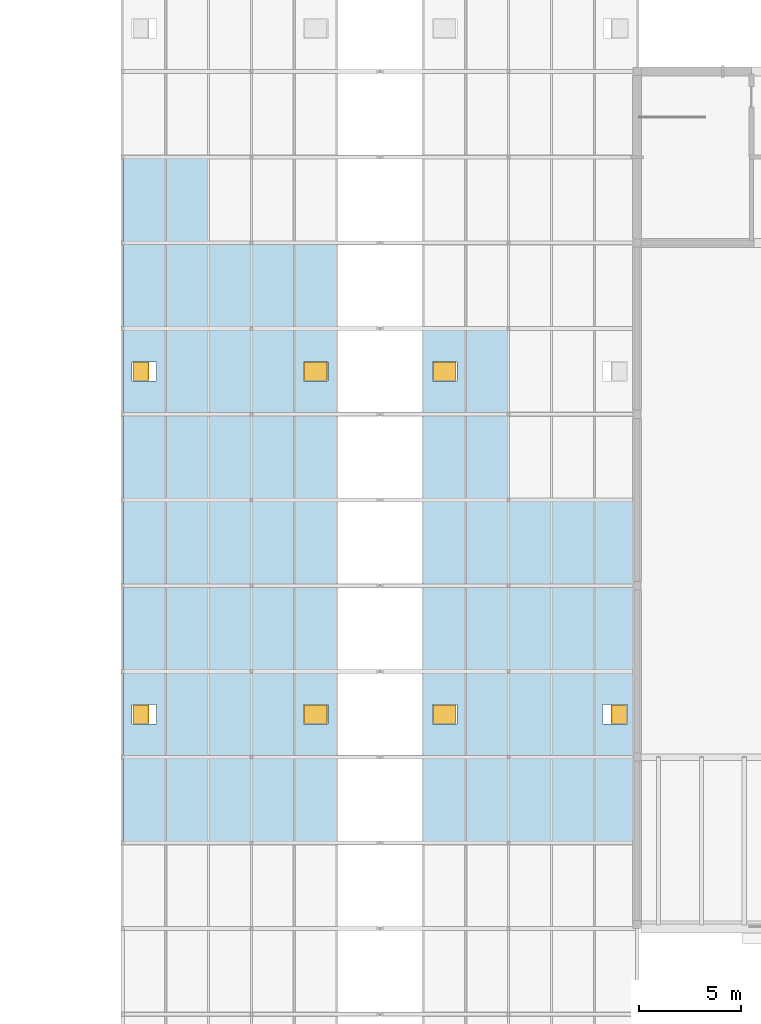
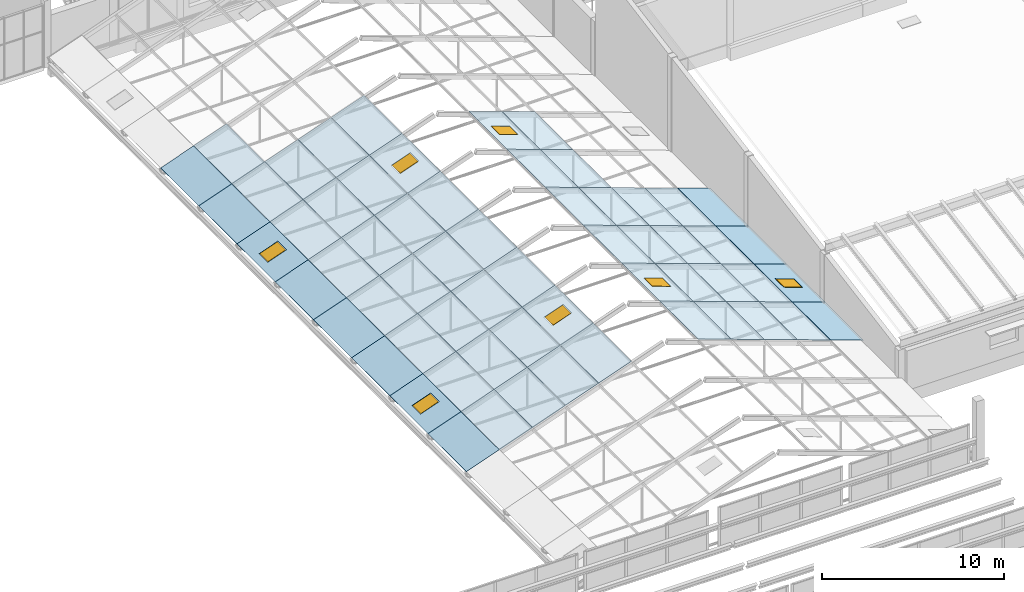
# One storey, part 87 of 116: 61 slabs, 7 windows, 7 openings.
"""IFC4 building model written with IfcOpenShell, lengths in metres."""

import ifcopenshell
import ifcopenshell.guid

model = None  # the IFC model being written
_history = None  # IfcOwnerHistory: only IFC2X3 demands one
_inside = {}  # id of a spatial element -> (the spatial element, [elements in it])
_under = {}  # id of a project, library or spatial element -> (it, [spatial elements below it])
_declared = {}  # id of a project -> (the project, [libraries it declares])
_typed = {}  # id of a type object -> (the type object, [elements of that type])
_made_of = {}  # id of a material, layer set ... -> (it, [elements and type objects made of it])


def new_model(schema):
    """Start an empty IFC model of exactly this schema.

    Asked for "IFC4X3", IfcOpenShell would pick the latest addendum, in which some entities
    have other attributes; the version numbers below select the first issue.
    IFC2X3 requires an IfcOwnerHistory on every rooted entity: one is made here for all.
    """
    global model, _history
    if schema == "IFC4X3":
        model = ifcopenshell.file(schema_version=(4, 3, 0, 0))
    else:
        model = ifcopenshell.file(schema=schema)
    _inside.clear()
    _under.clear()
    _declared.clear()
    _typed.clear()
    _made_of.clear()
    _history = None
    if model.schema == "IFC2X3":
        org = make("IfcOrganization", Name="unknown")
        user = make(
            "IfcPersonAndOrganization",
            ThePerson=make("IfcPerson", FamilyName="unknown"),
            TheOrganization=org,
        )
        app = make(
            "IfcApplication",
            ApplicationDeveloper=org,
            Version="unknown",
            ApplicationFullName="unknown",
            ApplicationIdentifier="unknown",
        )
        _history = make(
            "IfcOwnerHistory",
            OwningUser=user,
            OwningApplication=app,
            ChangeAction="ADDED",
            CreationDate=0,
        )
    return model


def make(cls, **values):
    """One entity of the class cls with the attributes given. An attribute that is None is left unset."""
    return model.create_entity(
        cls, **{name: value for name, value in values.items() if value is not None}
    )


def rooted(cls, **values):
    """An entity with a GlobalId (a new one), such as an element, a storey or a relation."""
    return make(cls, GlobalId=ifcopenshell.guid.new(), OwnerHistory=_history, **values)


def si_unit(unit_type, name, prefix=None):
    """IfcSIUnit, for example si_unit("LENGTHUNIT", "METRE", prefix="MILLI")."""
    return make("IfcSIUnit", UnitType=unit_type, Prefix=prefix, Name=name)


def assignment(units):
    """IfcUnitAssignment: the units of a project."""
    return None if units is None else make("IfcUnitAssignment", Units=units)


def point(xyz):
    """IfcCartesianPoint."""
    return None if xyz is None else make("IfcCartesianPoint", Coordinates=xyz)


def direction(xyz):
    """IfcDirection."""
    return None if xyz is None else make("IfcDirection", DirectionRatios=xyz)


def frame(location, z_axis=None, x_axis=None):
    """IfcAxis2Placement3D, a coordinate frame: its origin and axes. An axis left out is left unset."""
    return make(
        "IfcAxis2Placement3D",
        Location=point(location),
        Axis=direction(z_axis),
        RefDirection=direction(x_axis),
    )


def frame_2d(location, x_axis=None):
    """IfcAxis2Placement2D, a coordinate frame in the plane: its origin and x axis."""
    return make(
        "IfcAxis2Placement2D", Location=point(location), RefDirection=direction(x_axis)
    )


def origin():
    """The frame at (0, 0, 0) with its axes left unset."""
    return frame((0.0, 0.0, 0.0))


def origin_2d():
    """The frame at (0, 0) in the plane with its x axis left unset."""
    return frame_2d((0.0, 0.0))


def place(relative_to, where):
    """IfcLocalPlacement: puts the frame where relative to a parent placement (None: the world)."""
    return make(
        "IfcLocalPlacement", PlacementRelTo=relative_to, RelativePlacement=where
    )


def context(
    kind, dimensions, precision=None, world=None, true_north=None, identifier=None
):
    """IfcGeometricRepresentationContext, for example the 3D "Model" context."""
    return make(
        "IfcGeometricRepresentationContext",
        ContextIdentifier=identifier,
        ContextType=kind,
        CoordinateSpaceDimension=dimensions,
        Precision=precision,
        WorldCoordinateSystem=world,
        TrueNorth=true_north,
    )


def subcontext(parent, identifier, kind, view, scale=None):
    """IfcGeometricRepresentationSubContext, for example "Body" below "Model"."""
    return make(
        "IfcGeometricRepresentationSubContext",
        ContextIdentifier=identifier,
        ContextType=kind,
        ParentContext=parent,
        TargetScale=scale,
        TargetView=view,
    )


def project(units=None, contexts=None):
    """IfcProject with its units and contexts."""
    return rooted(
        "IfcProject",
        Name="project",
        RepresentationContexts=contexts,
        UnitsInContext=assignment(units),
    )


def spatial(cls, under=None, at=None, **own):
    """A site, building, storey or space (cls), placed at a placement, below another one or the project."""
    s = rooted(cls, ObjectPlacement=at, **own)
    if under is not None:
        _under.setdefault(under.id(), (under, []))[1].append(s)
    return s


def polyline(points):
    """IfcPolyline through the points."""
    return make("IfcPolyline", Points=[point(p) for p in points])


def profile(cls, at=None, kind="AREA", **sizes):
    """A parametric profile (cls). Its sizes go by their IFC names, for example OverallWidth=200.0."""
    return make(cls, ProfileType=kind, Position=at, **sizes)


def rectangle(**sizes):
    """IfcRectangleProfileDef."""
    return profile("IfcRectangleProfileDef", **sizes)


def outline(outer, holes=None, kind="AREA"):
    """IfcArbitraryClosedProfileDef: a profile drawn as a closed curve; with holes, ...WithVoids."""
    if holes is None:
        return make("IfcArbitraryClosedProfileDef", ProfileType=kind, OuterCurve=outer)
    return make(
        "IfcArbitraryProfileDefWithVoids",
        ProfileType=kind,
        OuterCurve=outer,
        InnerCurves=holes,
    )


def extrude(swept, where, along, depth):
    """IfcExtrudedAreaSolid: the profile swept, set in the frame where, extruded along a direction by depth."""
    return make(
        "IfcExtrudedAreaSolid",
        SweptArea=swept,
        Position=where,
        ExtrudedDirection=direction(along),
        Depth=depth,
    )


def shape(context_of_items, identifier, shape_type, items):
    """IfcShapeRepresentation: the items that make up one representation, for example the "Body"."""
    return make(
        "IfcShapeRepresentation",
        ContextOfItems=context_of_items,
        RepresentationIdentifier=identifier,
        RepresentationType=shape_type,
        Items=items,
    )


def material(Name=None, Category=None):
    """IfcMaterial."""
    return make("IfcMaterial", Name=Name, Category=Category)


def layer(
    of_material, thickness, ventilated=None, Name=None, Category=None, Priority=None
):
    """IfcMaterialLayer: one layer of a wall or slab, of a material (None: an air gap)."""
    return make(
        "IfcMaterialLayer",
        Material=of_material,
        LayerThickness=thickness,
        IsVentilated=ventilated,
        Name=Name,
        Category=Category,
        Priority=Priority,
    )


def layer_set(layers, Name=None):
    """IfcMaterialLayerSet."""
    return make("IfcMaterialLayerSet", MaterialLayers=layers, LayerSetName=Name)


def made_of(thing, what):
    """Note that an element or type object is made of a material, layer set ...; save() writes the relation."""
    if what is not None:
        _made_of.setdefault(what.id(), (what, []))[1].append(thing)
    return thing


def type_object(cls, material=None, **own):
    """A type object (cls), such as IfcWallType, which elements share."""
    return made_of(rooted(cls, **own), material)


def element(
    cls,
    number,
    at=None,
    inside=None,
    cuts=None,
    type_object=None,
    material=None,
    context=None,
    identifier="Body",
    shape_type=None,
    held_by="IfcProductDefinitionShape",
    body=None,
    shapes=None,
    **own,
):
    """One element of the class cls, such as IfcWall. Its Tag is "e" and its number.

    at: its placement. inside: the storey or other place that contains it. cuts: it is an
    opening in that element (IfcRelVoidsElement). A single representation is given by context,
    identifier, shape_type and body (its items); several are given by shapes. held_by: the class
    of the entity that holds the representations. save() writes the other relations.
    """
    e = rooted(cls, Tag="e%d" % number, ObjectPlacement=at, **own)
    if body is not None:
        shapes = [shape(context, identifier, shape_type, body)]
    if shapes is not None:
        e.Representation = make(held_by, Representations=shapes)
    if inside is not None:
        _inside.setdefault(inside.id(), (inside, []))[1].append(e)
    if cuts is not None:
        rooted(
            "IfcRelVoidsElement", RelatingBuildingElement=cuts, RelatedOpeningElement=e
        )
    if type_object is not None:
        _typed.setdefault(type_object.id(), (type_object, []))[1].append(e)
    return made_of(e, material)


def fill(opening, filler):
    """IfcRelFillsElement: the door or window that sits in an opening."""
    return rooted(
        "IfcRelFillsElement",
        RelatingOpeningElement=opening,
        RelatedBuildingElement=filler,
    )


def aggregate(whole, parts):
    """IfcRelAggregates: a whole, such as a stair, and the parts it consists of."""
    return rooted("IfcRelAggregates", RelatingObject=whole, RelatedObjects=parts)


def save(model, path):
    """Write the relations noted so far, then the file.

    IfcRelAggregates (storeys below a building ...), IfcRelContainedInSpatialStructure (elements
    in a storey), IfcRelDefinesByType, IfcRelAssociatesMaterial and IfcRelDeclares: one each for
    every whole, place, type object, material and project.
    """
    for whole, parts in _under.values():
        aggregate(whole, parts)
    for where, things in _inside.values():
        rooted(
            "IfcRelContainedInSpatialStructure",
            RelatedElements=things,
            RelatingStructure=where,
        )
    for kind, things in _typed.values():
        rooted("IfcRelDefinesByType", RelatedObjects=things, RelatingType=kind)
    for what, things in _made_of.values():
        rooted("IfcRelAssociatesMaterial", RelatedObjects=things, RelatingMaterial=what)
    for by, libraries in _declared.values():
        rooted("IfcRelDeclares", RelatingContext=by, RelatedDefinitions=libraries)
    model.write(path)


model = new_model("IFC4")

# Units and contexts
model_context = context("Model", 3, precision=1e-05, world=origin(), true_north=direction((0.0, 1.0)))
body_context = subcontext(model_context, "Body", "Model", "MODEL_VIEW")
ifc_project = project(units=[si_unit("LENGTHUNIT", "METRE"), si_unit("AREAUNIT", "SQUARE_METRE"), si_unit("VOLUMEUNIT", "CUBIC_METRE"), si_unit("PLANEANGLEUNIT", "RADIAN"), si_unit("MASSUNIT", "GRAM", prefix="KILO")], contexts=[model_context])

# Site, building, storey
site_placement = place(None, origin())
site = spatial("IfcSite", under=ifc_project, at=site_placement, CompositionType="ELEMENT")
building_placement = place(site_placement, origin())
building = spatial("IfcBuilding", under=site, at=building_placement, Name="Fescue Hill Polytechnic", CompositionType="ELEMENT")
storey_placement = place(building_placement, frame((0.0, 0.0, 13.5)))
storey = spatial("IfcBuildingStorey", under=building, at=storey_placement, Name="L03", CompositionType="ELEMENT", Elevation=13.5)

# Slabs
ifc_material_1 = material(Name="Glass", Category="glass")
ifc_layer = layer(ifc_material_1, 0.030029296875)
ifc_layer_set = layer_set([ifc_layer], Name="Glass")
slab_type = type_object("IfcSlabType", Name="Winter garden roof glazing 30", PredefinedType="ROOF", material=ifc_layer_set)
slab_1_placement = place(storey_placement, frame((92.39990234375, 63.0, 0.7724609375), z_axis=(-0.336294501436, 0.0, 0.941756873245), x_axis=(0.0, 1.0, 0.0)))
element("IfcSlab", 1, at=slab_1_placement, inside=storey, type_object=slab_type, Name="Winter garden roof glazing", PredefinedType="ROOF", context=body_context, shape_type="SweptSolid", body=[
    extrude(outline(polyline([(0.0, 0.0), (4.199951171875, 0.0), (4.199951171875, -2.214942687716117), (0.0, -2.214942687716117), (0.0, 0.0)])), origin(), (0.0, 0.0, -1.0), 0.030029296875),
])
for number, where, z_axis, x_axis, name in (
    (2, (94.5, 63.0, 1.5224609375), (-0.336329413726, 0.0, 0.941744405591), (0.0, 1.0, 0.0), "Winter garden roof glazing"),
    (3, (96.599853515625, 63.0, 2.2724609375), (-0.336329413726, 0.0, 0.941744405591), (0.0, 1.0, 0.0), "Winter garden roof glazing"),
):
    element("IfcSlab", number, at=place(storey_placement, frame(where, z_axis=z_axis, x_axis=x_axis)), inside=storey, type_object=slab_type, Name=name, PredefinedType="ROOF", context=body_context, shape_type="SweptSolid", body=[
        extrude(outline(polyline([(0.0, 0.0), (4.199951171875, 0.0), (4.199951171875, -2.2147127681263368), (0.0, -2.2147127681263368), (0.0, 0.0)])), origin(), (0.0, 0.0, -1.0), 0.030029296875),
    ])
for number, where, z_axis, x_axis, name in (
    (4, (98.69970703125, 63.0, 3.0224609375), (-0.336294501436, 0.0, 0.941756873245), (0.0, 1.0, 0.0), "Winter garden roof glazing"),
    (5, (100.799560546875, 63.0, 3.7724609375), (-0.336294501436, 0.0, 0.941756873245), (0.0, 1.0, 0.0), "Winter garden roof glazing"),
):
    element("IfcSlab", number, at=place(storey_placement, frame(where, z_axis=z_axis, x_axis=x_axis)), inside=storey, type_object=slab_type, Name=name, PredefinedType="ROOF", context=body_context, shape_type="SweptSolid", body=[
        extrude(outline(polyline([(0.0, 0.0), (4.199951171875, 0.0), (4.199951171875, -2.214942687716117), (0.0, -2.214942687716117), (0.0, 0.0)])), origin(), (0.0, 0.0, -1.0), 0.030029296875),
    ])

# Slab, opening, window
slab_2_placement = place(storey_placement, frame((92.39990234375, 67.199951171875, 0.7724609375), z_axis=(-0.336294501436, 0.0, 0.941756873245), x_axis=(0.0, 1.0, 0.0)))
slab_2 = element("IfcSlab", 6, at=slab_2_placement, inside=storey, type_object=slab_type, Name="Winter garden roof glazing", PredefinedType="ROOF", context=body_context, shape_type="SweptSolid", body=[
    extrude(outline(polyline([(0.0, 0.0), (4.199951171875, 0.0), (4.199951171875, -2.214942687716117), (0.0, -2.214942687716117), (0.0, 0.0)])), origin(), (0.0, 0.0, -1.0), 0.030029296875),
])
opening_1_placement = place(storey_placement, frame((93.449951171875, 69.300048828125, 0.80126953125)))
opening_1 = element("IfcOpeningElement", 7, at=opening_1_placement, cuts=slab_2, Name="Opening WH5", PredefinedType="OPENING", context=body_context, shape_type="SweptSolid", body=[
    extrude(rectangle(XDim=1.206787109375, YDim=0.93994140625, at=origin_2d()), origin(), (0.0, 0.0, 1.0), 0.660400390625),
])
ifc_material_2 = material(Name="Powder-coated aluminium and glass", Category="aluminium")
window_type = type_object("IfcWindowType", Name="Opening vent 900x1200", PartitioningType="SINGLE_PANEL", PredefinedType="SKYLIGHT", material=ifc_material_2)
window_1_placement = place(storey_placement, frame((93.449951171875, 69.300048828125, 1.1474609375), z_axis=(-0.336294501436, 0.0, 0.941756873245), x_axis=(0.0, 1.0, 0.0)))
window_1 = element("IfcWindow", 8, at=window_1_placement, inside=storey, type_object=window_type, Name="RLT-L03-WG-GLW-05-1", OverallHeight=1.199951171875, OverallWidth=0.89990234375, PartitioningType="SINGLE_PANEL", PredefinedType="SKYLIGHT", context=body_context, shape_type="SweptSolid", body=[
    extrude(rectangle(XDim=0.89990234375, YDim=1.199951171875, at=origin_2d()), origin(), (0.0, 0.0, -1.0), 0.030029296875),
])
fill(opening_1, window_1)

# Slabs
for number, where, z_axis, x_axis, name in (
    (9, (94.5, 67.199951171875, 1.5224609375), (-0.336329413726, 0.0, 0.941744405591), (0.0, 1.0, 0.0), "Winter garden roof glazing"),
    (10, (96.599853515625, 67.199951171875, 2.2724609375), (-0.336329413726, 0.0, 0.941744405591), (0.0, 1.0, 0.0), "Winter garden roof glazing"),
):
    element("IfcSlab", number, at=place(storey_placement, frame(where, z_axis=z_axis, x_axis=x_axis)), inside=storey, type_object=slab_type, Name=name, PredefinedType="ROOF", context=body_context, shape_type="SweptSolid", body=[
        extrude(outline(polyline([(0.0, 0.0), (4.199951171875, 0.0), (4.199951171875, -2.2147127681263368), (0.0, -2.2147127681263368), (0.0, 0.0)])), origin(), (0.0, 0.0, -1.0), 0.030029296875),
    ])
slab_3_placement = place(storey_placement, frame((98.69970703125, 67.199951171875, 3.0224609375), z_axis=(-0.336294501436, 0.0, 0.941756873245), x_axis=(0.0, 1.0, 0.0)))
element("IfcSlab", 11, at=slab_3_placement, inside=storey, type_object=slab_type, Name="Winter garden roof glazing", PredefinedType="ROOF", context=body_context, shape_type="SweptSolid", body=[
    extrude(outline(polyline([(0.0, 0.0), (4.199951171875, 0.0), (4.199951171875, -2.214942687716117), (0.0, -2.214942687716117), (0.0, 0.0)])), origin(), (0.0, 0.0, -1.0), 0.030029296875),
])

# Slab, opening, window
slab_4_placement = place(storey_placement, frame((100.799560546875, 67.199951171875, 3.7724609375), z_axis=(-0.336294501436, 0.0, 0.941756873245), x_axis=(0.0, 1.0, 0.0)))
slab_4 = element("IfcSlab", 12, at=slab_4_placement, inside=storey, type_object=slab_type, Name="Winter garden roof glazing", PredefinedType="ROOF", context=body_context, shape_type="SweptSolid", body=[
    extrude(outline(polyline([(0.0, 0.0), (4.199951171875, 0.0), (4.199951171875, -2.214942687716117), (0.0, -2.214942687716117), (0.0, 0.0)])), origin(), (0.0, 0.0, -1.0), 0.030029296875),
])
opening_2_placement = place(storey_placement, frame((101.85009765625, 69.300048828125, 3.801513671875)))
opening_2 = element("IfcOpeningElement", 13, at=opening_2_placement, cuts=slab_4, Name="Opening WH5", PredefinedType="OPENING", context=body_context, shape_type="SweptSolid", body=[
    extrude(rectangle(XDim=1.206787109375, YDim=0.93994140625, at=origin_2d()), origin(), (0.0, 0.0, 1.0), 0.660400390625),
])
window_2_placement = place(storey_placement, frame((101.85009765625, 69.300048828125, 4.147705078125), z_axis=(-0.336294501436, 0.0, 0.941756873245), x_axis=(0.0, 1.0, 0.0)))
window_2 = element("IfcWindow", 14, at=window_2_placement, inside=storey, type_object=window_type, Name="RLT-L03-WG-GLW-05-5", OverallHeight=1.199951171875, OverallWidth=0.89990234375, PartitioningType="SINGLE_PANEL", PredefinedType="SKYLIGHT", context=body_context, shape_type="SweptSolid", body=[
    extrude(rectangle(XDim=0.89990234375, YDim=1.199951171875, at=origin_2d()), origin(), (0.0, 0.0, -1.0), 0.030029296875),
])
fill(opening_2, window_2)

# Slabs
slab_5_placement = place(storey_placement, frame((92.39990234375, 71.39990234375, 0.7724609375), z_axis=(-0.336294501436, 0.0, 0.941756873245), x_axis=(0.0, 1.0, 0.0)))
element("IfcSlab", 15, at=slab_5_placement, inside=storey, type_object=slab_type, Name="Winter garden roof glazing", PredefinedType="ROOF", context=body_context, shape_type="SweptSolid", body=[
    extrude(outline(polyline([(0.0, 0.0), (4.2001953125, 0.0), (4.2001953125, -2.214942687716117), (0.0, -2.214942687716117), (0.0, 0.0)])), origin(), (0.0, 0.0, -1.0), 0.030029296875),
])
for number, where, z_axis, x_axis, name in (
    (16, (94.5, 71.39990234375, 1.5224609375), (-0.336329413726, 0.0, 0.941744405591), (0.0, 1.0, 0.0), "Winter garden roof glazing"),
    (17, (96.599853515625, 71.39990234375, 2.2724609375), (-0.336329413726, 0.0, 0.941744405591), (0.0, 1.0, 0.0), "Winter garden roof glazing"),
):
    element("IfcSlab", number, at=place(storey_placement, frame(where, z_axis=z_axis, x_axis=x_axis)), inside=storey, type_object=slab_type, Name=name, PredefinedType="ROOF", context=body_context, shape_type="SweptSolid", body=[
        extrude(outline(polyline([(0.0, 0.0), (4.2001953125, 0.0), (4.2001953125, -2.2147127681263363), (0.0, -2.2147127681263363), (0.0, 0.0)])), origin(), (0.0, 0.0, -1.0), 0.030029296875),
    ])
for number, where, z_axis, x_axis, name in (
    (18, (98.69970703125, 71.39990234375, 3.0224609375), (-0.336294501436, 0.0, 0.941756873245), (0.0, 1.0, 0.0), "Winter garden roof glazing"),
    (19, (100.799560546875, 71.39990234375, 3.7724609375), (-0.336294501436, 0.0, 0.941756873245), (0.0, 1.0, 0.0), "Winter garden roof glazing"),
):
    element("IfcSlab", number, at=place(storey_placement, frame(where, z_axis=z_axis, x_axis=x_axis)), inside=storey, type_object=slab_type, Name=name, PredefinedType="ROOF", context=body_context, shape_type="SweptSolid", body=[
        extrude(outline(polyline([(0.0, 0.0), (4.2001953125, 0.0), (4.2001953125, -2.214942687716117), (0.0, -2.214942687716117), (0.0, 0.0)])), origin(), (0.0, 0.0, -1.0), 0.030029296875),
    ])
slab_6_placement = place(storey_placement, frame((92.39990234375, 75.60009765625, 0.7724609375), z_axis=(-0.336294501436, 0.0, 0.941756873245), x_axis=(0.0, 1.0, 0.0)))
element("IfcSlab", 20, at=slab_6_placement, inside=storey, type_object=slab_type, Name="Winter garden roof glazing", PredefinedType="ROOF", context=body_context, shape_type="SweptSolid", body=[
    extrude(outline(polyline([(0.0, 0.0), (4.199951171875, 0.0), (4.199951171875, -2.214942687716117), (0.0, -2.214942687716117), (0.0, 0.0)])), origin(), (0.0, 0.0, -1.0), 0.030029296875),
])
for number, where, z_axis, x_axis, name in (
    (21, (94.5, 75.60009765625, 1.5224609375), (-0.336329413726, 0.0, 0.941744405591), (0.0, 1.0, 0.0), "Winter garden roof glazing"),
    (22, (96.599853515625, 75.60009765625, 2.2724609375), (-0.336329413726, 0.0, 0.941744405591), (0.0, 1.0, 0.0), "Winter garden roof glazing"),
):
    element("IfcSlab", number, at=place(storey_placement, frame(where, z_axis=z_axis, x_axis=x_axis)), inside=storey, type_object=slab_type, Name=name, PredefinedType="ROOF", context=body_context, shape_type="SweptSolid", body=[
        extrude(outline(polyline([(0.0, 0.0), (4.199951171875, 0.0), (4.199951171875, -2.2147127681263368), (0.0, -2.2147127681263368), (0.0, 0.0)])), origin(), (0.0, 0.0, -1.0), 0.030029296875),
    ])
for number, where, z_axis, x_axis, name in (
    (23, (98.69970703125, 75.60009765625, 3.0224609375), (-0.336294501436, 0.0, 0.941756873245), (0.0, 1.0, 0.0), "Winter garden roof glazing"),
    (24, (100.799560546875, 75.60009765625, 3.7724609375), (-0.336294501436, 0.0, 0.941756873245), (0.0, 1.0, 0.0), "Winter garden roof glazing"),
    (25, (92.39990234375, 79.800048828125, 0.7724609375), (-0.336294501436, 0.0, 0.941756873245), (0.0, 1.0, 0.0), "Winter garden roof glazing"),
):
    element("IfcSlab", number, at=place(storey_placement, frame(where, z_axis=z_axis, x_axis=x_axis)), inside=storey, type_object=slab_type, Name=name, PredefinedType="ROOF", context=body_context, shape_type="SweptSolid", body=[
        extrude(outline(polyline([(0.0, 0.0), (4.199951171875, 0.0), (4.199951171875, -2.214942687716117), (0.0, -2.214942687716117), (0.0, 0.0)])), origin(), (0.0, 0.0, -1.0), 0.030029296875),
    ])
for number, where, z_axis, x_axis, name in (
    (26, (94.5, 79.800048828125, 1.5224609375), (-0.336329413726, 0.0, 0.941744405591), (0.0, 1.0, 0.0), "Winter garden roof glazing"),
    (27, (96.599853515625, 79.800048828125, 2.2724609375), (-0.336329413726, 0.0, 0.941744405591), (0.0, 1.0, 0.0), "Winter garden roof glazing"),
):
    element("IfcSlab", number, at=place(storey_placement, frame(where, z_axis=z_axis, x_axis=x_axis)), inside=storey, type_object=slab_type, Name=name, PredefinedType="ROOF", context=body_context, shape_type="SweptSolid", body=[
        extrude(outline(polyline([(0.0, 0.0), (4.199951171875, 0.0), (4.199951171875, -2.2147127681263368), (0.0, -2.2147127681263368), (0.0, 0.0)])), origin(), (0.0, 0.0, -1.0), 0.030029296875),
    ])
for number, where, z_axis, x_axis, name in (
    (28, (98.69970703125, 79.800048828125, 3.0224609375), (-0.336294501436, 0.0, 0.941756873245), (0.0, 1.0, 0.0), "Winter garden roof glazing"),
    (29, (100.799560546875, 79.800048828125, 3.7724609375), (-0.336294501436, 0.0, 0.941756873245), (0.0, 1.0, 0.0), "Winter garden roof glazing"),
):
    element("IfcSlab", number, at=place(storey_placement, frame(where, z_axis=z_axis, x_axis=x_axis)), inside=storey, type_object=slab_type, Name=name, PredefinedType="ROOF", context=body_context, shape_type="SweptSolid", body=[
        extrude(outline(polyline([(0.0, 0.0), (4.199951171875, 0.0), (4.199951171875, -2.214942687716117), (0.0, -2.214942687716117), (0.0, 0.0)])), origin(), (0.0, 0.0, -1.0), 0.030029296875),
    ])

# Slab, opening, window
slab_7_placement = place(storey_placement, frame((92.39990234375, 84.0, 0.7724609375), z_axis=(-0.336294501436, 0.0, 0.941756873245), x_axis=(0.0, 1.0, 0.0)))
slab_7 = element("IfcSlab", 30, at=slab_7_placement, inside=storey, type_object=slab_type, Name="Winter garden roof glazing", PredefinedType="ROOF", context=body_context, shape_type="SweptSolid", body=[
    extrude(outline(polyline([(0.0, 0.0), (4.199951171875, 0.0), (4.199951171875, -2.214942687716117), (0.0, -2.214942687716117), (0.0, 0.0)])), origin(), (0.0, 0.0, -1.0), 0.030029296875),
])
opening_3_placement = place(storey_placement, frame((93.449951171875, 86.10009765625, 0.80126953125)))
opening_3 = element("IfcOpeningElement", 31, at=opening_3_placement, cuts=slab_7, Name="Opening WH5", PredefinedType="OPENING", context=body_context, shape_type="SweptSolid", body=[
    extrude(rectangle(XDim=1.206787109375, YDim=0.93994140625, at=origin_2d()), origin(), (0.0, 0.0, 1.0), 0.660400390625),
])
window_3_placement = place(storey_placement, frame((93.449951171875, 86.10009765625, 1.1474609375), z_axis=(-0.336294501436, 0.0, 0.941756873245), x_axis=(0.0, 1.0, 0.0)))
window_3 = element("IfcWindow", 32, at=window_3_placement, inside=storey, type_object=window_type, Name="RLT-L03-WG-GLW-09-1", OverallHeight=1.199951171875, OverallWidth=0.89990234375, PartitioningType="SINGLE_PANEL", PredefinedType="SKYLIGHT", context=body_context, shape_type="SweptSolid", body=[
    extrude(rectangle(XDim=0.89990234375, YDim=1.199951171875, at=origin_2d()), origin(), (0.0, 0.0, -1.0), 0.030029296875),
])
fill(opening_3, window_3)

# Slabs
for number, where, z_axis, x_axis, name in (
    (33, (94.5, 84.0, 1.5224609375), (-0.336329413726, 0.0, 0.941744405591), (0.0, 1.0, 0.0), "Winter garden roof glazing"),
    (34, (96.599853515625, 84.0, 2.2724609375), (-0.336329413726, 0.0, 0.941744405591), (0.0, 1.0, 0.0), "Winter garden roof glazing"),
):
    element("IfcSlab", number, at=place(storey_placement, frame(where, z_axis=z_axis, x_axis=x_axis)), inside=storey, type_object=slab_type, Name=name, PredefinedType="ROOF", context=body_context, shape_type="SweptSolid", body=[
        extrude(outline(polyline([(0.0, 0.0), (4.199951171875, 0.0), (4.199951171875, -2.2147127681263368), (0.0, -2.2147127681263368), (0.0, 0.0)])), origin(), (0.0, 0.0, -1.0), 0.030029296875),
    ])
slab_8_placement = place(storey_placement, frame((98.69970703125, 84.0, 3.0224609375), z_axis=(-0.336294501436, 0.0, 0.941756873245), x_axis=(0.0, 1.0, 0.0)))
element("IfcSlab", 35, at=slab_8_placement, inside=storey, type_object=slab_type, Name="Winter garden roof glazing", PredefinedType="ROOF", context=body_context, shape_type="SweptSolid", body=[
    extrude(outline(polyline([(0.0, 0.0), (4.199951171875, 0.0), (4.199951171875, -2.214942687716117), (0.0, -2.214942687716117), (0.0, 0.0)])), origin(), (0.0, 0.0, -1.0), 0.030029296875),
])

# Slab, opening, window
slab_9_placement = place(storey_placement, frame((100.799560546875, 84.0, 3.7724609375), z_axis=(-0.336294501436, 0.0, 0.941756873245), x_axis=(0.0, 1.0, 0.0)))
slab_9 = element("IfcSlab", 36, at=slab_9_placement, inside=storey, type_object=slab_type, Name="Winter garden roof glazing", PredefinedType="ROOF", context=body_context, shape_type="SweptSolid", body=[
    extrude(outline(polyline([(0.0, 0.0), (4.199951171875, 0.0), (4.199951171875, -2.214942687716117), (0.0, -2.214942687716117), (0.0, 0.0)])), origin(), (0.0, 0.0, -1.0), 0.030029296875),
])
opening_4_placement = place(storey_placement, frame((101.85009765625, 86.10009765625, 3.801513671875)))
opening_4 = element("IfcOpeningElement", 37, at=opening_4_placement, cuts=slab_9, Name="Opening WH5", PredefinedType="OPENING", context=body_context, shape_type="SweptSolid", body=[
    extrude(rectangle(XDim=1.206787109375, YDim=0.93994140625, at=origin_2d()), origin(), (0.0, 0.0, 1.0), 0.660400390625),
])
window_4_placement = place(storey_placement, frame((101.85009765625, 86.10009765625, 4.147705078125), z_axis=(-0.336294501436, 0.0, 0.941756873245), x_axis=(0.0, 1.0, 0.0)))
window_4 = element("IfcWindow", 38, at=window_4_placement, inside=storey, type_object=window_type, Name="RLT-L03-WG-GLW-09-5", OverallHeight=1.199951171875, OverallWidth=0.89990234375, PartitioningType="SINGLE_PANEL", PredefinedType="SKYLIGHT", context=body_context, shape_type="SweptSolid", body=[
    extrude(rectangle(XDim=0.89990234375, YDim=1.199951171875, at=origin_2d()), origin(), (0.0, 0.0, -1.0), 0.030029296875),
])
fill(opening_4, window_4)

# Slabs
slab_10_placement = place(storey_placement, frame((92.39990234375, 88.199951171875, 0.7724609375), z_axis=(-0.336294501436, 0.0, 0.941756873245), x_axis=(0.0, 1.0, 0.0)))
element("IfcSlab", 39, at=slab_10_placement, inside=storey, type_object=slab_type, Name="Winter garden roof glazing", PredefinedType="ROOF", context=body_context, shape_type="SweptSolid", body=[
    extrude(outline(polyline([(0.0, 0.0), (4.199951171875, 0.0), (4.199951171875, -2.214942687716117), (0.0, -2.214942687716117), (0.0, 0.0)])), origin(), (0.0, 0.0, -1.0), 0.030029296875),
])
for number, where, z_axis, x_axis, name in (
    (40, (94.5, 88.199951171875, 1.5224609375), (-0.336329413726, 0.0, 0.941744405591), (0.0, 1.0, 0.0), "Winter garden roof glazing"),
    (41, (96.599853515625, 88.199951171875, 2.2724609375), (-0.336329413726, 0.0, 0.941744405591), (0.0, 1.0, 0.0), "Winter garden roof glazing"),
):
    element("IfcSlab", number, at=place(storey_placement, frame(where, z_axis=z_axis, x_axis=x_axis)), inside=storey, type_object=slab_type, Name=name, PredefinedType="ROOF", context=body_context, shape_type="SweptSolid", body=[
        extrude(outline(polyline([(0.0, 0.0), (4.199951171875, 0.0), (4.199951171875, -2.2147127681263368), (0.0, -2.2147127681263368), (0.0, 0.0)])), origin(), (0.0, 0.0, -1.0), 0.030029296875),
    ])
for number, where, z_axis, x_axis, name in (
    (42, (98.69970703125, 88.199951171875, 3.0224609375), (-0.336294501436, 0.0, 0.941756873245), (0.0, 1.0, 0.0), "Winter garden roof glazing"),
    (43, (100.799560546875, 88.199951171875, 3.7724609375), (-0.336294501436, 0.0, 0.941756873245), (0.0, 1.0, 0.0), "Winter garden roof glazing"),
):
    element("IfcSlab", number, at=place(storey_placement, frame(where, z_axis=z_axis, x_axis=x_axis)), inside=storey, type_object=slab_type, Name=name, PredefinedType="ROOF", context=body_context, shape_type="SweptSolid", body=[
        extrude(outline(polyline([(0.0, 0.0), (4.199951171875, 0.0), (4.199951171875, -2.214942687716117), (0.0, -2.214942687716117), (0.0, 0.0)])), origin(), (0.0, 0.0, -1.0), 0.030029296875),
    ])
slab_11_placement = place(storey_placement, frame((92.39990234375, 92.39990234375, 0.7724609375), z_axis=(-0.336294501436, 0.0, 0.941756873245), x_axis=(0.0, 1.0, 0.0)))
element("IfcSlab", 44, at=slab_11_placement, inside=storey, type_object=slab_type, Name="Winter garden roof glazing", PredefinedType="ROOF", context=body_context, shape_type="SweptSolid", body=[
    extrude(outline(polyline([(0.0, 0.0), (4.2001953125, 0.0), (4.2001953125, -2.214942687716117), (0.0, -2.214942687716117), (0.0, 0.0)])), origin(), (0.0, 0.0, -1.0), 0.030029296875),
])
slab_12_placement = place(storey_placement, frame((94.5, 92.39990234375, 1.5224609375), z_axis=(-0.336329413726, 0.0, 0.941744405591), x_axis=(0.0, 1.0, 0.0)))
element("IfcSlab", 45, at=slab_12_placement, inside=storey, type_object=slab_type, Name="Winter garden roof glazing", PredefinedType="ROOF", context=body_context, shape_type="SweptSolid", body=[
    extrude(outline(polyline([(0.0, 0.0), (4.2001953125, 0.0), (4.2001953125, -2.2147127681263363), (0.0, -2.2147127681263363), (0.0, 0.0)])), origin(), (0.0, 0.0, -1.0), 0.030029296875),
])
slab_13_placement = place(storey_placement, frame((117.60009765625, 63.0, 0.7724609375), z_axis=(0.336294501436, 0.0, 0.941756873245), x_axis=(0.0, 1.0, 0.0)))
element("IfcSlab", 46, at=slab_13_placement, inside=storey, type_object=slab_type, Name="Winter garden roof glazing", PredefinedType="ROOF", context=body_context, shape_type="SweptSolid", body=[
    extrude(outline(polyline([(0.0, 0.0), (4.199951171875, 0.0), (4.199951171875, 2.214942687716117), (0.0, 2.214942687716117), (0.0, 0.0)])), origin(), (0.0, 0.0, -1.0), 0.030029296875),
])
for number, where, z_axis, x_axis, name in (
    (47, (115.5, 63.0, 1.5224609375), (0.336329413726, 0.0, 0.941744405591), (0.0, 1.0, 0.0), "Winter garden roof glazing"),
    (48, (113.400146484375, 63.0, 2.2724609375), (0.336329413726, 0.0, 0.941744405591), (0.0, 1.0, 0.0), "Winter garden roof glazing"),
):
    element("IfcSlab", number, at=place(storey_placement, frame(where, z_axis=z_axis, x_axis=x_axis)), inside=storey, type_object=slab_type, Name=name, PredefinedType="ROOF", context=body_context, shape_type="SweptSolid", body=[
        extrude(outline(polyline([(0.0, 0.0), (4.199951171875, 0.0), (4.199951171875, 2.2147127681263368), (0.0, 2.2147127681263368), (0.0, 0.0)])), origin(), (0.0, 0.0, -1.0), 0.030029296875),
    ])
for number, where, z_axis, x_axis, name in (
    (49, (111.30029296875, 63.0, 3.0224609375), (0.336294501436, 0.0, 0.941756873245), (0.0, 1.0, 0.0), "Winter garden roof glazing"),
    (50, (109.200439453125, 63.0, 3.7724609375), (0.336294501436, 0.0, 0.941756873245), (0.0, 1.0, 0.0), "Winter garden roof glazing"),
):
    element("IfcSlab", number, at=place(storey_placement, frame(where, z_axis=z_axis, x_axis=x_axis)), inside=storey, type_object=slab_type, Name=name, PredefinedType="ROOF", context=body_context, shape_type="SweptSolid", body=[
        extrude(outline(polyline([(0.0, 0.0), (4.199951171875, 0.0), (4.199951171875, 2.214942687716117), (0.0, 2.214942687716117), (0.0, 0.0)])), origin(), (0.0, 0.0, -1.0), 0.030029296875),
    ])

# Slab, opening, window
slab_14_placement = place(storey_placement, frame((117.60009765625, 67.199951171875, 0.7724609375), z_axis=(0.336294501436, 0.0, 0.941756873245), x_axis=(0.0, 1.0, 0.0)))
slab_14 = element("IfcSlab", 51, at=slab_14_placement, inside=storey, type_object=slab_type, Name="Winter garden roof glazing", PredefinedType="ROOF", context=body_context, shape_type="SweptSolid", body=[
    extrude(outline(polyline([(0.0, 0.0), (4.199951171875, 0.0), (4.199951171875, 2.214942687716117), (0.0, 2.214942687716117), (0.0, 0.0)])), origin(), (0.0, 0.0, -1.0), 0.030029296875),
])
opening_5_placement = place(storey_placement, frame((116.513916015625, 69.300048828125, 0.814208984375)))
opening_5 = element("IfcOpeningElement", 52, at=opening_5_placement, cuts=slab_14, Name="Opening WH5", PredefinedType="OPENING", context=body_context, shape_type="SweptSolid", body=[
    extrude(rectangle(XDim=1.206787109375, YDim=0.93994140625, at=origin_2d()), origin(), (0.0, 0.0, 1.0), 0.660400390625),
])
window_5_placement = place(storey_placement, frame((116.513916015625, 69.300048828125, 1.160400390625), z_axis=(0.336294501436, 0.0, 0.941756873245), x_axis=(0.0, 1.0, 0.0)))
window_5 = element("IfcWindow", 53, at=window_5_placement, inside=storey, type_object=window_type, Name="RLT-L03-WG-GLE-05-1", OverallHeight=1.199951171875, OverallWidth=0.89990234375, PartitioningType="SINGLE_PANEL", PredefinedType="SKYLIGHT", context=body_context, shape_type="SweptSolid", body=[
    extrude(rectangle(XDim=0.89990234375, YDim=1.199951171875, at=origin_2d()), origin(), (0.0, 0.0, -1.0), 0.030029296875),
])
fill(opening_5, window_5)

# Slabs
for number, where, z_axis, x_axis, name in (
    (54, (115.5, 67.199951171875, 1.5224609375), (0.336329413726, 0.0, 0.941744405591), (0.0, 1.0, 0.0), "Winter garden roof glazing"),
    (55, (113.400146484375, 67.199951171875, 2.2724609375), (0.336329413726, 0.0, 0.941744405591), (0.0, 1.0, 0.0), "Winter garden roof glazing"),
):
    element("IfcSlab", number, at=place(storey_placement, frame(where, z_axis=z_axis, x_axis=x_axis)), inside=storey, type_object=slab_type, Name=name, PredefinedType="ROOF", context=body_context, shape_type="SweptSolid", body=[
        extrude(outline(polyline([(0.0, 0.0), (4.199951171875, 0.0), (4.199951171875, 2.2147127681263368), (0.0, 2.2147127681263368), (0.0, 0.0)])), origin(), (0.0, 0.0, -1.0), 0.030029296875),
    ])
slab_15_placement = place(storey_placement, frame((111.30029296875, 67.199951171875, 3.0224609375), z_axis=(0.336294501436, 0.0, 0.941756873245), x_axis=(0.0, 1.0, 0.0)))
element("IfcSlab", 56, at=slab_15_placement, inside=storey, type_object=slab_type, Name="Winter garden roof glazing", PredefinedType="ROOF", context=body_context, shape_type="SweptSolid", body=[
    extrude(outline(polyline([(0.0, 0.0), (4.199951171875, 0.0), (4.199951171875, 2.214942687716117), (0.0, 2.214942687716117), (0.0, 0.0)])), origin(), (0.0, 0.0, -1.0), 0.030029296875),
])

# Slab, opening, window
slab_16_placement = place(storey_placement, frame((109.200439453125, 67.199951171875, 3.7724609375), z_axis=(0.336294501436, 0.0, 0.941756873245), x_axis=(0.0, 1.0, 0.0)))
slab_16 = element("IfcSlab", 57, at=slab_16_placement, inside=storey, type_object=slab_type, Name="Winter garden roof glazing", PredefinedType="ROOF", context=body_context, shape_type="SweptSolid", body=[
    extrude(outline(polyline([(0.0, 0.0), (4.199951171875, 0.0), (4.199951171875, 2.214942687716117), (0.0, 2.214942687716117), (0.0, 0.0)])), origin(), (0.0, 0.0, -1.0), 0.030029296875),
])
opening_6_placement = place(storey_placement, frame((108.1650390625, 69.300048828125, 3.796142578125)))
opening_6 = element("IfcOpeningElement", 58, at=opening_6_placement, cuts=slab_16, Name="Opening WH5", PredefinedType="OPENING", context=body_context, shape_type="SweptSolid", body=[
    extrude(rectangle(XDim=1.206787109375, YDim=0.93994140625, at=origin_2d()), origin(), (0.0, 0.0, 1.0), 0.660400390625),
])
window_6_placement = place(storey_placement, frame((108.1650390625, 69.300048828125, 4.14208984375), z_axis=(0.336294501436, 0.0, 0.941756873245), x_axis=(0.0, 1.0, 0.0)))
window_6 = element("IfcWindow", 59, at=window_6_placement, inside=storey, type_object=window_type, Name="RLT-L03-WG-GLE-05-5", OverallHeight=1.199951171875, OverallWidth=0.89990234375, PartitioningType="SINGLE_PANEL", PredefinedType="SKYLIGHT", context=body_context, shape_type="SweptSolid", body=[
    extrude(rectangle(XDim=0.89990234375, YDim=1.199951171875, at=origin_2d()), origin(), (0.0, 0.0, -1.0), 0.030029296875),
])
fill(opening_6, window_6)

# Slabs
slab_17_placement = place(storey_placement, frame((117.60009765625, 71.39990234375, 0.7724609375), z_axis=(0.336294501436, 0.0, 0.941756873245), x_axis=(0.0, 1.0, 0.0)))
element("IfcSlab", 60, at=slab_17_placement, inside=storey, type_object=slab_type, Name="Winter garden roof glazing", PredefinedType="ROOF", context=body_context, shape_type="SweptSolid", body=[
    extrude(outline(polyline([(0.0, 0.0), (4.2001953125, 0.0), (4.2001953125, 2.214942687716117), (0.0, 2.214942687716117), (0.0, 0.0)])), origin(), (0.0, 0.0, -1.0), 0.030029296875),
])
for number, where, z_axis, x_axis, name in (
    (61, (115.5, 71.39990234375, 1.5224609375), (0.336329413726, 0.0, 0.941744405591), (0.0, 1.0, 0.0), "Winter garden roof glazing"),
    (62, (113.400146484375, 71.39990234375, 2.2724609375), (0.336329413726, 0.0, 0.941744405591), (0.0, 1.0, 0.0), "Winter garden roof glazing"),
):
    element("IfcSlab", number, at=place(storey_placement, frame(where, z_axis=z_axis, x_axis=x_axis)), inside=storey, type_object=slab_type, Name=name, PredefinedType="ROOF", context=body_context, shape_type="SweptSolid", body=[
        extrude(outline(polyline([(0.0, 0.0), (4.2001953125, 0.0), (4.2001953125, 2.2147127681263363), (0.0, 2.2147127681263363), (0.0, 0.0)])), origin(), (0.0, 0.0, -1.0), 0.030029296875),
    ])
for number, where, z_axis, x_axis, name in (
    (63, (111.30029296875, 71.39990234375, 3.0224609375), (0.336294501436, 0.0, 0.941756873245), (0.0, 1.0, 0.0), "Winter garden roof glazing"),
    (64, (109.200439453125, 71.39990234375, 3.7724609375), (0.336294501436, 0.0, 0.941756873245), (0.0, 1.0, 0.0), "Winter garden roof glazing"),
):
    element("IfcSlab", number, at=place(storey_placement, frame(where, z_axis=z_axis, x_axis=x_axis)), inside=storey, type_object=slab_type, Name=name, PredefinedType="ROOF", context=body_context, shape_type="SweptSolid", body=[
        extrude(outline(polyline([(0.0, 0.0), (4.2001953125, 0.0), (4.2001953125, 2.214942687716117), (0.0, 2.214942687716117), (0.0, 0.0)])), origin(), (0.0, 0.0, -1.0), 0.030029296875),
    ])
slab_18_placement = place(storey_placement, frame((117.60009765625, 75.60009765625, 0.7724609375), z_axis=(0.336294501436, 0.0, 0.941756873245), x_axis=(0.0, 1.0, 0.0)))
element("IfcSlab", 65, at=slab_18_placement, inside=storey, type_object=slab_type, Name="Winter garden roof glazing", PredefinedType="ROOF", context=body_context, shape_type="SweptSolid", body=[
    extrude(outline(polyline([(0.0, 0.0), (4.199951171875, 0.0), (4.199951171875, 2.214942687716117), (0.0, 2.214942687716117), (0.0, 0.0)])), origin(), (0.0, 0.0, -1.0), 0.030029296875),
])
for number, where, z_axis, x_axis, name in (
    (66, (115.5, 75.60009765625, 1.5224609375), (0.336329413726, 0.0, 0.941744405591), (0.0, 1.0, 0.0), "Winter garden roof glazing"),
    (67, (113.400146484375, 75.60009765625, 2.2724609375), (0.336329413726, 0.0, 0.941744405591), (0.0, 1.0, 0.0), "Winter garden roof glazing"),
):
    element("IfcSlab", number, at=place(storey_placement, frame(where, z_axis=z_axis, x_axis=x_axis)), inside=storey, type_object=slab_type, Name=name, PredefinedType="ROOF", context=body_context, shape_type="SweptSolid", body=[
        extrude(outline(polyline([(0.0, 0.0), (4.199951171875, 0.0), (4.199951171875, 2.2147127681263368), (0.0, 2.2147127681263368), (0.0, 0.0)])), origin(), (0.0, 0.0, -1.0), 0.030029296875),
    ])
for number, where, z_axis, x_axis, name in (
    (68, (111.30029296875, 75.60009765625, 3.0224609375), (0.336294501436, 0.0, 0.941756873245), (0.0, 1.0, 0.0), "Winter garden roof glazing"),
    (69, (109.200439453125, 75.60009765625, 3.7724609375), (0.336294501436, 0.0, 0.941756873245), (0.0, 1.0, 0.0), "Winter garden roof glazing"),
    (70, (111.30029296875, 79.800048828125, 3.0224609375), (0.336294501436, 0.0, 0.941756873245), (0.0, 1.0, 0.0), "Winter garden roof glazing"),
    (71, (109.200439453125, 79.800048828125, 3.7724609375), (0.336294501436, 0.0, 0.941756873245), (0.0, 1.0, 0.0), "Winter garden roof glazing"),
    (72, (111.30029296875, 84.0, 3.0224609375), (0.336294501436, 0.0, 0.941756873245), (0.0, 1.0, 0.0), "Winter garden roof glazing"),
):
    element("IfcSlab", number, at=place(storey_placement, frame(where, z_axis=z_axis, x_axis=x_axis)), inside=storey, type_object=slab_type, Name=name, PredefinedType="ROOF", context=body_context, shape_type="SweptSolid", body=[
        extrude(outline(polyline([(0.0, 0.0), (4.199951171875, 0.0), (4.199951171875, 2.214942687716117), (0.0, 2.214942687716117), (0.0, 0.0)])), origin(), (0.0, 0.0, -1.0), 0.030029296875),
    ])

# Slab, opening, window
slab_19_placement = place(storey_placement, frame((109.200439453125, 84.0, 3.7724609375), z_axis=(0.336294501436, 0.0, 0.941756873245), x_axis=(0.0, 1.0, 0.0)))
slab_19 = element("IfcSlab", 73, at=slab_19_placement, inside=storey, type_object=slab_type, Name="Winter garden roof glazing", PredefinedType="ROOF", context=body_context, shape_type="SweptSolid", body=[
    extrude(outline(polyline([(0.0, 0.0), (4.199951171875, 0.0), (4.199951171875, 2.214942687716117), (0.0, 2.214942687716117), (0.0, 0.0)])), origin(), (0.0, 0.0, -1.0), 0.030029296875),
])
opening_7_placement = place(storey_placement, frame((108.1650390625, 86.10009765625, 3.796142578125)))
opening_7 = element("IfcOpeningElement", 74, at=opening_7_placement, cuts=slab_19, Name="Opening WH5", PredefinedType="OPENING", context=body_context, shape_type="SweptSolid", body=[
    extrude(rectangle(XDim=1.206787109375, YDim=0.93994140625, at=origin_2d()), origin(), (0.0, 0.0, 1.0), 0.660400390625),
])
window_7_placement = place(storey_placement, frame((108.1650390625, 86.10009765625, 4.14208984375), z_axis=(0.336294501436, 0.0, 0.941756873245), x_axis=(0.0, 1.0, 0.0)))
window_7 = element("IfcWindow", 75, at=window_7_placement, inside=storey, type_object=window_type, Name="RLT-L03-WG-GLE-09-5", OverallHeight=1.199951171875, OverallWidth=0.89990234375, PartitioningType="SINGLE_PANEL", PredefinedType="SKYLIGHT", context=body_context, shape_type="SweptSolid", body=[
    extrude(rectangle(XDim=0.89990234375, YDim=1.199951171875, at=origin_2d()), origin(), (0.0, 0.0, -1.0), 0.030029296875),
])
fill(opening_7, window_7)

save(model, "model.ifc")
